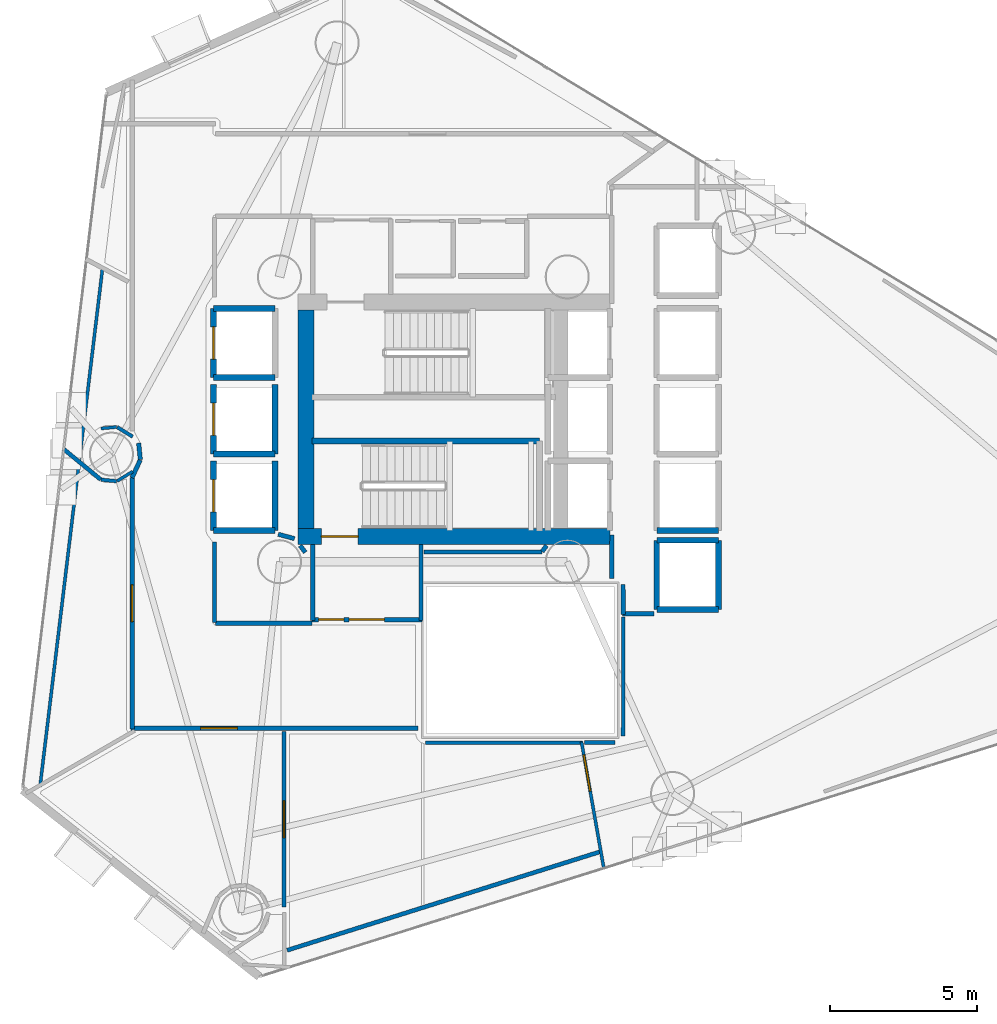
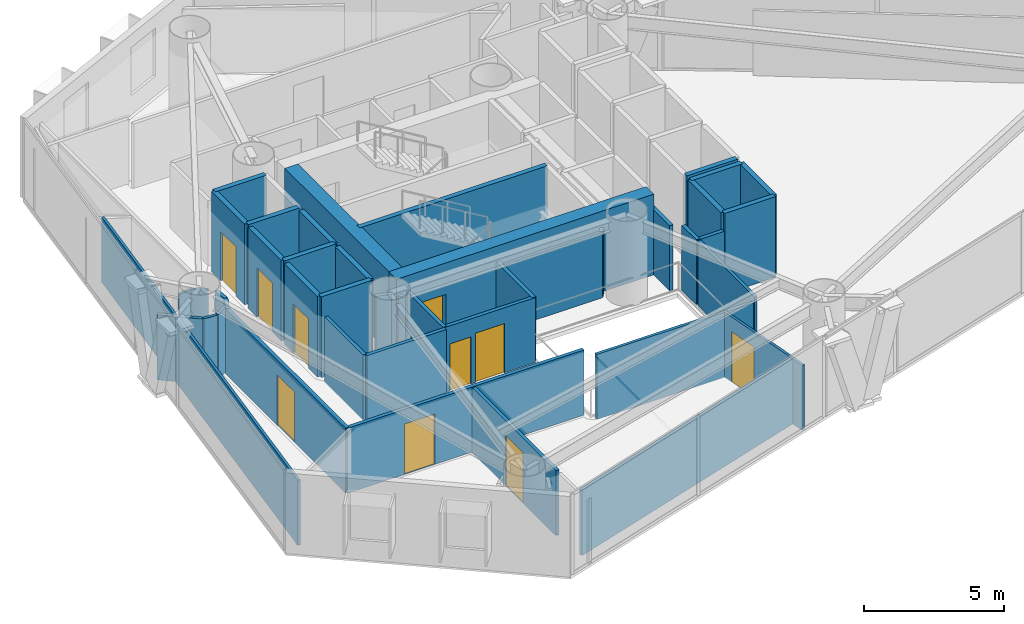
# One storey, part 14 of 18: 45 walls, 10 doors, 10 openings.
"""IFC4 building model written with IfcOpenShell, lengths in metres."""

from ifc_helpers import new_model, si_unit, direction, frame, frame_2d, origin, place, context, subcontext, project, spatial, rectangle, extrude, material, layer, layer_set, type_object, element, fill, save


model = new_model("IFC4")

# Units and contexts
model_context = context("Model", 3, precision=1e-05, world=origin(), true_north=direction((0.0, 1.0)))
body_context = subcontext(model_context, "Body", "Model", "MODEL_VIEW")
ifc_project = project(units=[si_unit("LENGTHUNIT", "METRE"), si_unit("AREAUNIT", "SQUARE_METRE"), si_unit("VOLUMEUNIT", "CUBIC_METRE"), si_unit("PLANEANGLEUNIT", "RADIAN"), si_unit("MASSUNIT", "GRAM", prefix="KILO")], contexts=[model_context])

# Site, building, storey
site_placement = place(None, origin())
site = spatial("IfcSite", under=ifc_project, at=site_placement, CompositionType="ELEMENT")
building_placement = place(site_placement, origin())
building = spatial("IfcBuilding", under=site, at=building_placement, Name="Qianvela Tower", CompositionType="ELEMENT")
storey_placement = place(building_placement, frame((0.0, 0.0, 116.300048828125)))
storey = spatial("IfcBuildingStorey", under=building, at=storey_placement, Name="L29", CompositionType="ELEMENT", Elevation=116.300048828125)

# Wall, opening, door
ifc_material_1 = material(Name="Concrete C60", Category="concrete")
ifc_layer_1 = layer(ifc_material_1, 0.550048828125)
ifc_layer_set_1 = layer_set([ifc_layer_1], Name="Concrete C60")
wall_type_1 = type_object("IfcWallType", Name="WT-CORE-550", PredefinedType="SHEAR", material=ifc_layer_set_1)
wall_1_placement = place(storey_placement, frame((29.22998046875, 24.705078125, 0.0), z_axis=(0.0, 0.0, 1.0), x_axis=(1.0, 0.0, 0.0)))
wall_1 = element("IfcWall", 1, at=wall_1_placement, inside=storey, type_object=wall_type_1, Name="L29 South Core Shear Wall", PredefinedType="SHEAR", context=body_context, shape_type="SweptSolid", body=[
    extrude(rectangle(XDim=10.6201171875, YDim=0.550048828125, at=frame_2d((5.31005859375, 0.0))), origin(), (0.0, 0.0, 1.0), 3.52001953125),
])
opening_1_placement = place(wall_1_placement, frame((0.794921875, 0.0, 0.0)))
opening_1 = element("IfcOpeningElement", 2, at=opening_1_placement, cuts=wall_1, Name="Opening D-ST1", PredefinedType="OPENING", context=body_context, shape_type="SweptSolid", body=[
    extrude(rectangle(XDim=1.25, YDim=2.14990234375, at=frame_2d((0.625, 1.074951171875))), frame((0.0, 0.284912109375, 0.0), z_axis=(0.0, -1.0, 0.0), x_axis=(1.0, 0.0, 0.0)), (0.0, 0.0, 1.0), 0.570068359375),
])
ifc_material_2 = material(Name="Galvanised Fire Steel Q355B", Category="steel")
door_type_1 = type_object("IfcDoorType", Name="DT-STAIR-FD90", OperationType="NOTDEFINED", PredefinedType="DOOR", material=ifc_material_2)
door_1_placement = place(opening_1_placement, origin())
door_1 = element("IfcDoor", 3, at=door_1_placement, inside=storey, type_object=door_type_1, Name="L29 Stair ST-2 Exit Door", OperationType="SINGLE_SWING_LEFT", OverallHeight=2.14990234375, OverallWidth=1.25, PredefinedType="DOOR", context=body_context, shape_type="SweptSolid", body=[
    extrude(rectangle(XDim=1.25, YDim=2.14990234375, at=frame_2d((0.625, 1.074951171875))), frame((0.0, 0.02490234375, 0.0), z_axis=(0.0, -1.0, 0.0), x_axis=(1.0, 0.0, 0.0)), (0.0, 0.0, 1.0), 0.050048828125),
])
fill(opening_1, door_1)

# Wall
wall_2_placement = place(storey_placement, frame((29.5048828125, 24.97998046875, 0.0), z_axis=(0.0, 0.0, 1.0), x_axis=(0.0, 1.0, 0.0)))
element("IfcWall", 4, at=wall_2_placement, inside=storey, type_object=wall_type_1, Name="L29 West Core Shear Wall", PredefinedType="SHEAR", context=body_context, shape_type="SweptSolid", body=[
    extrude(rectangle(XDim=7.43994140625, YDim=0.550048828125, at=frame_2d((3.719970703125, 0.0))), origin(), (0.0, 0.0, 1.0), 3.52001953125),
])

# Wall, openings, doors
ifc_material_3 = material(Name="Fire-Rated Acoustic Gypsum Board")
ifc_layer_2 = layer(ifc_material_3, 0.14990234375)
ifc_layer_set_2 = layer_set([ifc_layer_2], Name="Fire-Rated Acoustic Gypsum Board")
wall_type_2 = type_object("IfcWallType", Name="WT-CORR-150", PredefinedType="PARTITIONING", material=ifc_layer_set_2)
wall_3_placement = place(storey_placement, frame((33.449951171875, 21.881103515625, 0.0), z_axis=(0.0, 0.0, 1.0), x_axis=(-1.0, 0.0, 0.0)))
wall_3 = element("IfcWall", 5, at=wall_3_placement, inside=storey, type_object=wall_type_2, Name="L29 Partition 5", PredefinedType="PARTITIONING", context=body_context, shape_type="SweptSolid", body=[
    extrude(rectangle(XDim=3.75, YDim=0.14990234375, at=frame_2d((1.875, 0.0))), origin(), (0.0, 0.0, 1.0), 2.83984375),
])
opening_2_placement = place(wall_3_placement, frame((1.27490234375, 0.0, 0.0)))
opening_2 = element("IfcOpeningElement", 6, at=opening_2_placement, cuts=wall_3, Name="Opening D-LB1", PredefinedType="OPENING", context=body_context, shape_type="SweptSolid", body=[
    extrude(rectangle(XDim=1.199951171875, YDim=2.14990234375, at=frame_2d((0.60009765625, 1.074951171875))), frame((0.0, 0.0849609375, 0.0), z_axis=(0.0, -1.0, 0.0), x_axis=(1.0, 0.0, 0.0)), (0.0, 0.0, 1.0), 0.169921875),
])
opening_3_placement = place(wall_3_placement, frame((2.659912109375, 0.0, 0.0)))
opening_3 = element("IfcOpeningElement", 7, at=opening_3_placement, cuts=wall_3, Name="Opening D-LB2", PredefinedType="OPENING", context=body_context, shape_type="SweptSolid", body=[
    extrude(rectangle(XDim=0.860107421875, YDim=2.050048828125, at=frame_2d((0.43017578125, 1.02490234375))), frame((0.0, 0.0849609375, 0.0), z_axis=(0.0, -1.0, 0.0), x_axis=(1.0, 0.0, 0.0)), (0.0, 0.0, 1.0), 0.169921875),
])
ifc_material_4 = material(Name="Glazed Fire-Rated Steel Frame", Category="steel")
door_type_2 = type_object("IfcDoorType", Name="DT-LOBBY-FD90", OperationType="NOTDEFINED", PredefinedType="DOOR", material=ifc_material_4)
door_2_placement = place(opening_2_placement, origin())
door_2 = element("IfcDoor", 8, at=door_2_placement, inside=storey, type_object=door_type_2, Name="L29 Door L29 Firefighting Lobby South to L29 Floor Corridor", OperationType="SINGLE_SWING_RIGHT", OverallHeight=2.14990234375, OverallWidth=1.199951171875, PredefinedType="DOOR", context=body_context, shape_type="SweptSolid", body=[
    extrude(rectangle(XDim=1.199951171875, YDim=2.14990234375, at=frame_2d((0.60009765625, 1.074951171875))), frame((0.0, 0.02490234375, 0.0), z_axis=(0.0, -1.0, 0.0), x_axis=(1.0, 0.0, 0.0)), (0.0, 0.0, 1.0), 0.050048828125),
])
fill(opening_2, door_2)
ifc_material_5 = material(Name="Insulated Steel Fire Door Q355B", Category="steel")
door_type_3 = type_object("IfcDoorType", Name="DT-LOBBY-FD90-860", OperationType="NOTDEFINED", PredefinedType="DOOR", material=ifc_material_5)
door_3_placement = place(opening_3_placement, origin())
door_3 = element("IfcDoor", 9, at=door_3_placement, inside=storey, type_object=door_type_3, Name="L29 Door L29 Firefighting Lobby South to L29 Floor Corridor", OperationType="SINGLE_SWING_RIGHT", OverallHeight=2.050048828125, OverallWidth=0.860107421875, PredefinedType="DOOR", context=body_context, shape_type="SweptSolid", body=[
    extrude(rectangle(XDim=0.860107421875, YDim=2.050048828125, at=frame_2d((0.43017578125, 1.02490234375))), frame((0.0, 0.02490234375, 0.0), z_axis=(0.0, -1.0, 0.0), x_axis=(1.0, 0.0, 0.0)), (0.0, 0.0, 1.0), 0.050048828125),
])
fill(opening_3, door_3)

# Walls
for number, where, z_axis, x_axis, name in (
    (10, (29.73095703125, 21.85009765625, 0.0), (0.0, 0.0, 1.0), (0.0, 1.0, 0.0), "L29 Partition 6"),
    (11, (33.4189453125, 24.44189453125, 0.0), (0.0, 0.0, 1.0), (0.0, -1.0, 0.0), "L29 Partition 8"),
):
    element("IfcWall", number, at=place(storey_placement, frame(where, z_axis=z_axis, x_axis=x_axis)), inside=storey, type_object=wall_type_2, Name=name, PredefinedType="PARTITIONING", context=body_context, shape_type="SweptSolid", body=[
        extrude(rectangle(XDim=2.591796875, YDim=0.14990234375, at=frame_2d((1.2958984375, 0.0))), origin(), (0.0, 0.0, 1.0), 2.83984375),
    ])
wall_4_placement = place(storey_placement, frame((41.360107421875, 22.0810546875, 0.0), z_axis=(0.0, 0.0, 1.0), x_axis=(-1.0, 0.0, 0.0)))
element("IfcWall", 12, at=wall_4_placement, inside=storey, type_object=wall_type_2, Name="L29 Partition 15", PredefinedType="PARTITIONING", context=body_context, shape_type="SweptSolid", body=[
    extrude(rectangle(XDim=1.080078125, YDim=0.14990234375, at=frame_2d((0.5400390625, 0.0))), origin(), (0.0, 0.0, 1.0), 2.83984375),
])
wall_5_placement = place(storey_placement, frame((40.31103515625, 22.05029296875, 0.0), z_axis=(0.0, 0.0, 1.0), x_axis=(-0.011836292006, 0.999929948642, 0.0)))
element("IfcWall", 13, at=wall_5_placement, inside=storey, type_object=wall_type_2, Name="L29 Partition 16", PredefinedType="PARTITIONING", context=body_context, shape_type="SweptSolid", body=[
    extrude(rectangle(XDim=1.03125, YDim=0.14990234375, at=frame_2d((0.515625, 0.0))), origin(), (0.0, 0.0, 1.0), 2.83984375),
])
wall_6_placement = place(storey_placement, frame((39.910888671875, 23.27978515625, 0.0), z_axis=(0.0, 0.0, 1.0), x_axis=(0.009397771291, 0.999955839972, 0.0)))
element("IfcWall", 14, at=wall_6_placement, inside=storey, type_object=wall_type_2, Name="L29 Partition 17", PredefinedType="PARTITIONING", context=body_context, shape_type="SweptSolid", body=[
    extrude(rectangle(XDim=1.480712890625, YDim=0.14990234375, at=frame_2d((0.740234375, 0.0))), origin(), (0.0, 0.0, 1.0), 2.83984375),
])
wall_7_placement = place(storey_placement, frame((29.47998046875, 24.1689453125, 0.0), z_axis=(0.0, 0.0, 1.0), x_axis=(-0.608043045279, 0.79390405912, 0.0)))
element("IfcWall", 15, at=wall_7_placement, inside=storey, type_object=wall_type_2, Name="L29 Partition 30", PredefinedType="PARTITIONING", context=body_context, shape_type="SweptSolid", body=[
    extrude(rectangle(XDim=0.290283203125, YDim=0.14990234375, at=frame_2d((0.14501953125, 0.0))), origin(), (0.0, 0.0, 1.0), 2.83984375),
])
wall_8_placement = place(storey_placement, frame((29.113525390625, 24.63671875, 0.0), z_axis=(0.0, 0.0, 1.0), x_axis=(-0.966199685486, 0.257794817183, 0.0)))
element("IfcWall", 16, at=wall_8_placement, inside=storey, type_object=wall_type_2, Name="L29 Partition 31", PredefinedType="PARTITIONING", context=body_context, shape_type="SweptSolid", body=[
    extrude(rectangle(XDim=0.574951171875, YDim=0.14990234375, at=frame_2d((0.28759765625, 0.0))), origin(), (0.0, 0.0, 1.0), 2.83984375),
])
wall_9_placement = place(storey_placement, frame((37.696533203125, 24.3994140625, 0.0), z_axis=(0.0, 0.0, 1.0), x_axis=(-0.60763139403, -0.794219169367, 0.0)))
element("IfcWall", 17, at=wall_9_placement, inside=storey, type_object=wall_type_2, Name="L29 Partition 38", PredefinedType="PARTITIONING", context=body_context, shape_type="SweptSolid", body=[
    extrude(rectangle(XDim=0.25, YDim=0.14990234375, at=frame_2d((0.125, 0.0))), origin(), (0.0, 0.0, 1.0), 2.83984375),
])
wall_10_placement = place(storey_placement, frame((37.544677734375, 24.180908203125, 0.0), z_axis=(0.0, 0.0, 1.0), x_axis=(-1.0, 0.0, 0.0)))
element("IfcWall", 18, at=wall_10_placement, inside=storey, type_object=wall_type_2, Name="L29 Partition 39", PredefinedType="PARTITIONING", context=body_context, shape_type="SweptSolid", body=[
    extrude(rectangle(XDim=4.0146484375, YDim=0.14990234375, at=frame_2d((2.00732421875, 0.0))), origin(), (0.0, 0.0, 1.0), 2.83984375),
])
wall_11_placement = place(storey_placement, frame((26.388916015625, 24.530517578125, 0.0), z_axis=(0.0, 0.0, 1.0), x_axis=(0.0, -1.0, 0.0)))
element("IfcWall", 19, at=wall_11_placement, inside=storey, type_object=wall_type_2, Name="L29 Partition 49", PredefinedType="PARTITIONING", context=body_context, shape_type="SweptSolid", body=[
    extrude(rectangle(XDim=2.75048828125, YDim=0.14990234375, at=frame_2d((1.375244140625, 0.0))), origin(), (0.0, 0.0, 1.0), 2.83984375),
])
wall_12_placement = place(storey_placement, frame((26.419921875, 21.7490234375, 0.0), z_axis=(0.0, 0.0, 1.0), x_axis=(1.0, 0.0, 0.0)))
element("IfcWall", 20, at=wall_12_placement, inside=storey, type_object=wall_type_2, Name="L29 Partition 50 seg 1", PredefinedType="PARTITIONING", context=body_context, shape_type="SweptSolid", body=[
    extrude(rectangle(XDim=3.280029296875, YDim=0.14990234375, at=frame_2d((1.64013671875, 0.0))), origin(), (0.0, 0.0, 1.0), 2.83984375),
])

# Wall, opening, door
wall_13_placement = place(storey_placement, frame((33.320068359375, 18.180908203125, 0.0), z_axis=(0.0, 0.0, 1.0), x_axis=(-1.0, 0.0, 0.0)))
wall_13 = element("IfcWall", 21, at=wall_13_placement, inside=storey, type_object=wall_type_2, Name="L29 Partition 51", PredefinedType="PARTITIONING", context=body_context, shape_type="SweptSolid", body=[
    extrude(rectangle(XDim=9.77001953125, YDim=0.14990234375, at=frame_2d((4.885009765625, 0.0))), origin(), (0.0, 0.0, 1.0), 2.83984375),
])
opening_4_placement = place(wall_13_placement, frame((6.156494140625, 0.0, 0.0)))
opening_4 = element("IfcOpeningElement", 22, at=opening_4_placement, cuts=wall_13, Name="Opening D-LG1", PredefinedType="OPENING", context=body_context, shape_type="SweptSolid", body=[
    extrude(rectangle(XDim=1.25, YDim=2.199951171875, at=frame_2d((0.625, 1.10009765625))), frame((0.0, 0.0849609375, 0.0), z_axis=(0.0, -1.0, 0.0), x_axis=(1.0, 0.0, 0.0)), (0.0, 0.0, 1.0), 0.169921875),
])
ifc_material_6 = material(Name="Anodised Aluminium Acoustic Glass Door", Category="aluminium")
door_type_4 = type_object("IfcDoorType", Name="DT-LOUNGE-1250", OperationType="NOTDEFINED", PredefinedType="DOOR", material=ifc_material_6)
door_4_placement = place(opening_4_placement, origin())
door_4 = element("IfcDoor", 23, at=door_4_placement, inside=storey, type_object=door_type_4, Name="L29 Door Media Practice Cinema L29-02 to L29 Floor Corridor", OperationType="SINGLE_SWING_RIGHT", OverallHeight=2.199951171875, OverallWidth=1.25, PredefinedType="DOOR", context=body_context, shape_type="SweptSolid", body=[
    extrude(rectangle(XDim=1.25, YDim=2.199951171875, at=frame_2d((0.625, 1.10009765625))), frame((0.0, 0.02490234375, 0.0), z_axis=(0.0, -1.0, 0.0), x_axis=(1.0, 0.0, 0.0)), (0.0, 0.0, 1.0), 0.050048828125),
])
fill(opening_4, door_4)

wall_14_placement = place(storey_placement, frame((23.5810546875, 18.14990234375, 0.0), z_axis=(0.0, 0.0, 1.0), x_axis=(0.0, 1.0, 0.0)))
wall_14 = element("IfcWall", 24, at=wall_14_placement, inside=storey, type_object=wall_type_2, Name="L29 Partition 52", PredefinedType="PARTITIONING", context=body_context, shape_type="SweptSolid", body=[
    extrude(rectangle(XDim=8.575439453125, YDim=0.14990234375, at=frame_2d((4.28759765625, 0.0))), origin(), (0.0, 0.0, 1.0), 2.83984375),
])
opening_5_placement = place(wall_14_placement, frame((3.66259765625, 0.0, 0.0)))
opening_5 = element("IfcOpeningElement", 25, at=opening_5_placement, cuts=wall_14, Name="Opening D-LG1", PredefinedType="OPENING", context=body_context, shape_type="SweptSolid", body=[
    extrude(rectangle(XDim=1.25, YDim=2.199951171875, at=frame_2d((0.625, 1.10009765625))), frame((0.0, 0.0849609375, 0.0), z_axis=(0.0, -1.0, 0.0), x_axis=(1.0, 0.0, 0.0)), (0.0, 0.0, 1.0), 0.169921875),
])
door_5_placement = place(opening_5_placement, origin())
door_5 = element("IfcDoor", 26, at=door_5_placement, inside=storey, type_object=door_type_4, Name="L29 Door Student Reading Library L29-01 to L29 Floor Corridor", OperationType="SINGLE_SWING_LEFT", OverallHeight=2.199951171875, OverallWidth=1.25, PredefinedType="DOOR", context=body_context, shape_type="SweptSolid", body=[
    extrude(rectangle(XDim=1.25, YDim=2.199951171875, at=frame_2d((0.625, 1.10009765625))), frame((0.0, 0.02490234375, 0.0), z_axis=(0.0, -1.0, 0.0), x_axis=(1.0, 0.0, 0.0)), (0.0, 0.0, 1.0), 0.050048828125),
])
fill(opening_5, door_5)

# Walls
wall_15_placement = place(storey_placement, frame((23.578125, 26.71240234375, 0.0), z_axis=(0.0, 0.0, 1.0), x_axis=(0.421251946418, 0.906943657367, 0.0)))
element("IfcWall", 27, at=wall_15_placement, inside=storey, type_object=wall_type_2, Name="L29 Partition 53", PredefinedType="PARTITIONING", context=body_context, shape_type="SweptSolid", body=[
    extrude(rectangle(XDim=0.6630859375, YDim=0.14990234375, at=frame_2d((0.33154296875, 0.0))), origin(), (0.0, 0.0, 1.0), 2.83984375),
])
wall_16_placement = place(storey_placement, frame((23.860107421875, 27.329833984375, 0.0), z_axis=(0.0, 0.0, 1.0), x_axis=(-0.098000919071, 0.995186324193, 0.0)))
element("IfcWall", 28, at=wall_16_placement, inside=storey, type_object=wall_type_2, Name="L29 Partition 54", PredefinedType="PARTITIONING", context=body_context, shape_type="SweptSolid", body=[
    extrude(rectangle(XDim=0.56298828125, YDim=0.14990234375, at=frame_2d((0.281494140625, 0.0))), origin(), (0.0, 0.0, 1.0), 2.83984375),
])
ifc_material_7 = material(Name="Lightweight Gypsum Room Partition")
ifc_layer_3 = layer(ifc_material_7, 0.10498046875)
ifc_layer_set_3 = layer_set([ifc_layer_3], Name="Lightweight Gypsum Room Partition")
wall_type_3 = type_object("IfcWallType", Name="WT-PART-105", PredefinedType="PARTITIONING", material=ifc_layer_set_3)
wall_17_placement = place(storey_placement, frame((23.052490234375, 28.439453125, 0.0), z_axis=(0.0, 0.0, 1.0), x_axis=(-0.995191506225, -0.09794828195, 0.0)))
element("IfcWall", 29, at=wall_17_placement, inside=storey, type_object=wall_type_3, Name="L29 Partition 56", PredefinedType="PARTITIONING", context=body_context, shape_type="SweptSolid", body=[
    extrude(rectangle(XDim=0.5283203125, YDim=0.10498046875, at=frame_2d((0.26416015625, 0.0))), origin(), (0.0, 0.0, 1.0), 2.83984375),
])
wall_18_placement = place(storey_placement, frame((23.07177734375, 26.59716796875, 0.0), z_axis=(0.0, 0.0, 1.0), x_axis=(0.851536753009, 0.524294915363, 0.0)))
element("IfcWall", 30, at=wall_18_placement, inside=storey, type_object=wall_type_3, Name="L29 Partition 62", PredefinedType="PARTITIONING", context=body_context, shape_type="SweptSolid", body=[
    extrude(rectangle(XDim=0.62060546875, YDim=0.10498046875, at=frame_2d((0.310302734375, 0.0))), origin(), (0.0, 0.0, 1.0), 2.83984375),
])
wall_19_placement = place(storey_placement, frame((20.443115234375, 16.17919921875, 0.0), z_axis=(0.0, 0.0, 1.0), x_axis=(0.11977901292, 0.992800578195, 0.0)))
element("IfcWall", 31, at=wall_19_placement, inside=storey, type_object=wall_type_3, Name="L29 Partition 65", PredefinedType="PARTITIONING", context=body_context, shape_type="SweptSolid", body=[
    extrude(rectangle(XDim=17.846923828125, YDim=0.10498046875, at=frame_2d((8.92333984375, 0.0))), origin(), (0.0, 0.0, 1.0), 2.83984375),
])

# Wall, opening, door
wall_20_placement = place(storey_placement, frame((38.88671875, 17.714599609375, 0.0), z_axis=(0.0, 0.0, 1.0), x_axis=(0.173658486217, -0.984805935281, 0.0)))
wall_20 = element("IfcWall", 32, at=wall_20_placement, inside=storey, type_object=wall_type_3, Name="L29 Partition 86", PredefinedType="PARTITIONING", context=body_context, shape_type="SweptSolid", body=[
    extrude(rectangle(XDim=4.391845703125, YDim=0.10498046875, at=frame_2d((2.19580078125, 0.0))), origin(), (0.0, 0.0, 1.0), 2.83984375),
])
opening_6_placement = place(wall_20_placement, frame((0.450927734375, 0.0, 0.0)))
opening_6 = element("IfcOpeningElement", 33, at=opening_6_placement, cuts=wall_20, Name="Opening D-LG1", PredefinedType="OPENING", context=body_context, shape_type="SweptSolid", body=[
    extrude(rectangle(XDim=1.25, YDim=2.199951171875, at=frame_2d((0.625, 1.10009765625))), frame((0.0, 0.0625, 0.0), z_axis=(0.0, -1.0, 0.0), x_axis=(1.0, 0.0, 0.0)), (0.0, 0.0, 1.0), 0.125),
])
door_6_placement = place(opening_6_placement, origin())
door_6 = element("IfcDoor", 34, at=door_6_placement, inside=storey, type_object=door_type_4, Name="L29 Door Social Sitting Lounge L29-04 to Panoramic Study Lounge L29-03", OperationType="SINGLE_SWING_LEFT", OverallHeight=2.199951171875, OverallWidth=1.25, PredefinedType="DOOR", context=body_context, shape_type="SweptSolid", body=[
    extrude(rectangle(XDim=1.25, YDim=2.199951171875, at=frame_2d((0.625, 1.10009765625))), frame((0.0, 0.02490234375, 0.0), z_axis=(0.0, -1.0, 0.0), x_axis=(1.0, 0.0, 0.0)), (0.0, 0.0, 1.0), 0.050048828125),
])
fill(opening_6, door_6)

# Walls
ifc_material_8 = material(Name="Insulated Gypsum Stud Partition")
ifc_layer_4 = layer(ifc_material_8, 0.1201171875)
ifc_layer_set_4 = layer_set([ifc_layer_4], Name="Insulated Gypsum Stud Partition")
wall_type_4 = type_object("IfcWallType", Name="WT-PART-120", PredefinedType="PARTITIONING", material=ifc_layer_set_4)
wall_21_placement = place(storey_placement, frame((23.600341796875, 28.109619140625, 0.0), z_axis=(0.0, 0.0, 1.0), x_axis=(-0.851712341449, 0.524009625316, 0.0)))
element("IfcWall", 35, at=wall_21_placement, inside=storey, type_object=wall_type_4, Name="L29 Partition 55", PredefinedType="PARTITIONING", context=body_context, shape_type="SweptSolid", body=[
    extrude(rectangle(XDim=0.62060546875, YDim=0.1201171875, at=frame_2d((0.310302734375, 0.0))), origin(), (0.0, 0.0, 1.0), 2.83984375),
])
wall_22_placement = place(storey_placement, frame((22.526611328125, 26.644287109375, 0.0), z_axis=(0.0, 0.0, 1.0), x_axis=(0.995191506225, -0.09794828195, 0.0)))
element("IfcWall", 36, at=wall_22_placement, inside=storey, type_object=wall_type_4, Name="L29 Partition 61", PredefinedType="PARTITIONING", context=body_context, shape_type="SweptSolid", body=[
    extrude(rectangle(XDim=0.5283203125, YDim=0.1201171875, at=frame_2d((0.26416015625, 0.0))), origin(), (0.0, 0.0, 1.0), 2.83984375),
])
wall_23_placement = place(storey_placement, frame((33.572509765625, 17.690185546875, 0.0), z_axis=(0.0, 0.0, 1.0), x_axis=(0.999999973918, -0.000228393928, 0.0)))
element("IfcWall", 37, at=wall_23_placement, inside=storey, type_object=wall_type_4, Name="L29 Partition 85", PredefinedType="PARTITIONING", context=body_context, shape_type="SweptSolid", body=[
    extrude(rectangle(XDim=5.3447265625, YDim=0.1201171875, at=frame_2d((2.67236328125, 0.0))), origin(), (0.0, 0.0, 1.0), 2.83984375),
])
wall_24_placement = place(storey_placement, frame((40.298828125, 17.918701171875, 0.0), z_axis=(0.0, 0.0, 1.0), x_axis=(0.0030131236, 0.999995460533, 0.0)))
element("IfcWall", 38, at=wall_24_placement, inside=storey, type_object=wall_type_4, Name="L29 Partition 103 seg 1", PredefinedType="PARTITIONING", context=body_context, shape_type="SweptSolid", body=[
    extrude(rectangle(XDim=4.05126953125, YDim=0.1201171875, at=frame_2d((2.025634765625, 0.0))), origin(), (0.0, 0.0, 1.0), 2.83984375),
])
ifc_material_9 = material(Name="Acoustic Double Gypsum Stud Partition")
ifc_layer_5 = layer(ifc_material_9, 0.139892578125)
ifc_layer_set_5 = layer_set([ifc_layer_5], Name="Acoustic Double Gypsum Stud Partition")
wall_type_5 = type_object("IfcWallType", Name="WT-ROOM-140", PredefinedType="PARTITIONING", material=ifc_layer_set_5)
wall_25_placement = place(storey_placement, frame((21.235595703125, 27.697265625, 0.0), z_axis=(0.0, 0.0, 1.0), x_axis=(0.773006334928, -0.634398302458, 0.0)))
element("IfcWall", 39, at=wall_25_placement, inside=storey, type_object=wall_type_5, Name="L29 Partition 60", PredefinedType="PARTITIONING", context=body_context, shape_type="SweptSolid", body=[
    extrude(rectangle(XDim=1.648681640625, YDim=0.139892578125, at=frame_2d((0.82421875, 0.0))), origin(), (0.0, 0.0, 1.0), 2.83984375),
])

# Wall, opening, door
wall_26_placement = place(storey_placement, frame((28.7548828125, 18.070068359375, 0.0), z_axis=(0.0, 0.0, 1.0), x_axis=(0.0, -1.0, 0.0)))
wall_26 = element("IfcWall", 40, at=wall_26_placement, inside=storey, type_object=wall_type_5, Name="L29 Partition 84", PredefinedType="PARTITIONING", context=body_context, shape_type="SweptSolid", body=[
    extrude(rectangle(XDim=5.978515625, YDim=0.139892578125, at=frame_2d((2.9892578125, 0.0))), origin(), (0.0, 0.0, 1.0), 2.83984375),
])
opening_7_placement = place(wall_26_placement, frame((2.3642578125, 0.0, 0.0)))
opening_7 = element("IfcOpeningElement", 41, at=opening_7_placement, cuts=wall_26, Name="Opening D-LG1", PredefinedType="OPENING", context=body_context, shape_type="SweptSolid", body=[
    extrude(rectangle(XDim=1.25, YDim=2.199951171875, at=frame_2d((0.625, 1.10009765625))), frame((0.0, 0.079833984375, 0.0), z_axis=(0.0, -1.0, 0.0), x_axis=(1.0, 0.0, 0.0)), (0.0, 0.0, 1.0), 0.159912109375),
])
door_7_placement = place(opening_7_placement, origin())
door_7 = element("IfcDoor", 42, at=door_7_placement, inside=storey, type_object=door_type_4, Name="L29 Door Panoramic Study Lounge L29-03 to Media Practice Cinema L29-02", OperationType="SINGLE_SWING_LEFT", OverallHeight=2.199951171875, OverallWidth=1.25, PredefinedType="DOOR", context=body_context, shape_type="SweptSolid", body=[
    extrude(rectangle(XDim=1.25, YDim=2.199951171875, at=frame_2d((0.625, 1.10009765625))), frame((0.0, 0.02490234375, 0.0), z_axis=(0.0, -1.0, 0.0), x_axis=(1.0, 0.0, 0.0)), (0.0, 0.0, 1.0), 0.050048828125),
])
fill(opening_7, door_7)

# Walls
wall_27_placement = place(storey_placement, frame((39.571044921875, 13.989501953125, 0.0), z_axis=(0.0, 0.0, 1.0), x_axis=(-0.953855016975, -0.300267558341, 0.0)))
element("IfcWall", 43, at=wall_27_placement, inside=storey, type_object=wall_type_5, Name="L29 Partition 87", PredefinedType="PARTITIONING", context=body_context, shape_type="SweptSolid", body=[
    extrude(rectangle(XDim=11.228515625, YDim=0.139892578125, at=frame_2d((5.6142578125, 0.0))), origin(), (0.0, 0.0, 1.0), 2.83984375),
])
wall_28_placement = place(storey_placement, frame((38.980224609375, 17.689208984375, 0.0), z_axis=(0.0, 0.0, 1.0), x_axis=(0.999999565315, 0.000932400527, 0.0)))
element("IfcWall", 44, at=wall_28_placement, inside=storey, type_object=wall_type_5, Name="L29 Partition 102 seg 1", PredefinedType="PARTITIONING", context=body_context, shape_type="SweptSolid", body=[
    extrude(rectangle(XDim=1.04736328125, YDim=0.139892578125, at=frame_2d((0.523681640625, 0.0))), origin(), (0.0, 0.0, 1.0), 2.83984375),
])
ifc_material_10 = material(Name="Concrete C50", Category="concrete")
ifc_layer_6 = layer(ifc_material_10, 0.199951171875)
ifc_layer_set_6 = layer_set([ifc_layer_6], Name="Concrete C50")
wall_type_6 = type_object("IfcWallType", Name="WT-SHAFT-200", PredefinedType="SOLIDWALL", material=ifc_layer_set_6)
wall_29_placement = place(storey_placement, frame((29.699951171875, 27.9599609375, 0.0), z_axis=(0.0, 0.0, 1.0), x_axis=(1.0, 0.0, 0.0)))
element("IfcWall", 45, at=wall_29_placement, inside=storey, type_object=wall_type_6, Name="L29 Stair ST-2 North Wall", PredefinedType="SOLIDWALL", context=body_context, shape_type="SweptSolid", body=[
    extrude(rectangle(XDim=7.75, YDim=0.199951171875, at=frame_2d((3.875, 0.0))), origin(), (0.0, 0.0, 1.0), 3.52001953125),
])

# Wall, opening, door
wall_30_placement = place(storey_placement, frame((26.35009765625, 30.1201171875, 0.0), z_axis=(0.0, 0.0, 1.0), x_axis=(0.0, 1.0, 0.0)))
wall_30 = element("IfcWall", 46, at=wall_30_placement, inside=storey, type_object=wall_type_6, Name="L29 Lift PL-L1 W Shaft Wall", PredefinedType="SOLIDWALL", context=body_context, shape_type="SweptSolid", body=[
    extrude(rectangle(XDim=2.35986328125, YDim=0.199951171875, at=frame_2d((1.179931640625, 0.0))), origin(), (0.0, 0.0, 1.0), 3.52001953125),
])
opening_8_placement = place(wall_30_placement, frame((0.6298828125, 0.0, 0.0)))
opening_8 = element("IfcOpeningElement", 47, at=opening_8_placement, cuts=wall_30, Name="Opening LD-01", PredefinedType="OPENING", context=body_context, shape_type="SweptSolid", body=[
    extrude(rectangle(XDim=1.10009765625, YDim=2.14990234375, at=frame_2d((0.550048828125, 1.074951171875))), frame((0.0, 0.10986328125, 0.0), z_axis=(0.0, -1.0, 0.0), x_axis=(1.0, 0.0, 0.0)), (0.0, 0.0, 1.0), 0.219970703125),
])
ifc_material_11 = material(Name="Brushed Stainless Steel Lift Landing Door", Category="steel")
door_type_5 = type_object("IfcDoorType", Name="DT-LIFT-SLIDE-1100", OperationType="SLIDING_TO_LEFT", PredefinedType="DOOR", material=ifc_material_11)
door_8_placement = place(opening_8_placement, origin())
door_8 = element("IfcDoor", 48, at=door_8_placement, inside=storey, type_object=door_type_5, Name="L29 Lift PL-L1 Sliding Landing Door", OperationType="SLIDING_TO_LEFT", OverallHeight=2.14990234375, OverallWidth=1.10009765625, PredefinedType="DOOR", context=body_context, shape_type="SweptSolid", body=[
    extrude(rectangle(XDim=1.10009765625, YDim=2.14990234375, at=frame_2d((0.550048828125, 1.074951171875))), frame((0.0, 0.02490234375, 0.0), z_axis=(0.0, -1.0, 0.0), x_axis=(1.0, 0.0, 0.0)), (0.0, 0.0, 1.0), 0.050048828125),
])
fill(opening_8, door_8)

# Walls
for number, where, z_axis, x_axis, name in (
    (49, (26.35009765625, 32.47998046875, 0.0), (0.0, 0.0, 1.0), (1.0, 0.0, 0.0), "L29 Lift PL-L1 N Shaft Wall"),
    (50, (26.35009765625, 30.1201171875, 0.0), (0.0, 0.0, 1.0), (1.0, 0.0, 0.0), "L29 Lift PL-L1 S Shaft Wall"),
):
    element("IfcWall", number, at=place(storey_placement, frame(where, z_axis=z_axis, x_axis=x_axis)), inside=storey, type_object=wall_type_6, Name=name, PredefinedType="SOLIDWALL", context=body_context, shape_type="SweptSolid", body=[
        extrude(rectangle(XDim=2.099853515625, YDim=0.199951171875, at=frame_2d((1.0498046875, 0.0))), origin(), (0.0, 0.0, 1.0), 3.52001953125),
    ])
wall_31_placement = place(storey_placement, frame((28.449951171875, 27.52001953125, 0.0), z_axis=(0.0, 0.0, 1.0), x_axis=(0.0, 1.0, 0.0)))
element("IfcWall", 51, at=wall_31_placement, inside=storey, type_object=wall_type_6, Name="L29 Lift PL-L2 E Shaft Wall", PredefinedType="SOLIDWALL", context=body_context, shape_type="SweptSolid", body=[
    extrude(rectangle(XDim=2.35986328125, YDim=0.199951171875, at=frame_2d((1.179931640625, 0.0))), origin(), (0.0, 0.0, 1.0), 3.52001953125),
])

# Wall, opening, door
wall_32_placement = place(storey_placement, frame((26.35009765625, 27.52001953125, 0.0), z_axis=(0.0, 0.0, 1.0), x_axis=(0.0, 1.0, 0.0)))
wall_32 = element("IfcWall", 52, at=wall_32_placement, inside=storey, type_object=wall_type_6, Name="L29 Lift PL-L2 W Shaft Wall", PredefinedType="SOLIDWALL", context=body_context, shape_type="SweptSolid", body=[
    extrude(rectangle(XDim=2.35986328125, YDim=0.199951171875, at=frame_2d((1.179931640625, 0.0))), origin(), (0.0, 0.0, 1.0), 3.52001953125),
])
opening_9_placement = place(wall_32_placement, frame((0.6298828125, 0.0, 0.0)))
opening_9 = element("IfcOpeningElement", 53, at=opening_9_placement, cuts=wall_32, Name="Opening LD-01", PredefinedType="OPENING", context=body_context, shape_type="SweptSolid", body=[
    extrude(rectangle(XDim=1.10009765625, YDim=2.14990234375, at=frame_2d((0.550048828125, 1.074951171875))), frame((0.0, 0.10986328125, 0.0), z_axis=(0.0, -1.0, 0.0), x_axis=(1.0, 0.0, 0.0)), (0.0, 0.0, 1.0), 0.219970703125),
])
door_9_placement = place(opening_9_placement, origin())
door_9 = element("IfcDoor", 54, at=door_9_placement, inside=storey, type_object=door_type_5, Name="L29 Lift PL-L2 Sliding Landing Door", OperationType="SLIDING_TO_LEFT", OverallHeight=2.14990234375, OverallWidth=1.10009765625, PredefinedType="DOOR", context=body_context, shape_type="SweptSolid", body=[
    extrude(rectangle(XDim=1.10009765625, YDim=2.14990234375, at=frame_2d((0.550048828125, 1.074951171875))), frame((0.0, 0.02490234375, 0.0), z_axis=(0.0, -1.0, 0.0), x_axis=(1.0, 0.0, 0.0)), (0.0, 0.0, 1.0), 0.050048828125),
])
fill(opening_9, door_9)

# Walls
wall_33_placement = place(storey_placement, frame((26.35009765625, 27.52001953125, 0.0), z_axis=(0.0, 0.0, 1.0), x_axis=(1.0, 0.0, 0.0)))
element("IfcWall", 55, at=wall_33_placement, inside=storey, type_object=wall_type_6, Name="L29 Lift PL-L2 S Shaft Wall", PredefinedType="SOLIDWALL", context=body_context, shape_type="SweptSolid", body=[
    extrude(rectangle(XDim=2.099853515625, YDim=0.199951171875, at=frame_2d((1.0498046875, 0.0))), origin(), (0.0, 0.0, 1.0), 3.52001953125),
])
wall_34_placement = place(storey_placement, frame((28.449951171875, 24.919921875, 0.0), z_axis=(0.0, 0.0, 1.0), x_axis=(0.0, 1.0, 0.0)))
element("IfcWall", 56, at=wall_34_placement, inside=storey, type_object=wall_type_6, Name="L29 Lift PL-L3 E Shaft Wall", PredefinedType="SOLIDWALL", context=body_context, shape_type="SweptSolid", body=[
    extrude(rectangle(XDim=2.360107421875, YDim=0.199951171875, at=frame_2d((1.18017578125, 0.0))), origin(), (0.0, 0.0, 1.0), 3.52001953125),
])

# Wall, opening, door
wall_35_placement = place(storey_placement, frame((26.35009765625, 24.919921875, 0.0), z_axis=(0.0, 0.0, 1.0), x_axis=(0.0, 1.0, 0.0)))
wall_35 = element("IfcWall", 57, at=wall_35_placement, inside=storey, type_object=wall_type_6, Name="L29 Lift PL-L3 W Shaft Wall", PredefinedType="SOLIDWALL", context=body_context, shape_type="SweptSolid", body=[
    extrude(rectangle(XDim=2.360107421875, YDim=0.199951171875, at=frame_2d((1.18017578125, 0.0))), origin(), (0.0, 0.0, 1.0), 3.52001953125),
])
opening_10_placement = place(wall_35_placement, frame((0.6298828125, 0.0, 0.0)))
opening_10 = element("IfcOpeningElement", 58, at=opening_10_placement, cuts=wall_35, Name="Opening LD-01", PredefinedType="OPENING", context=body_context, shape_type="SweptSolid", body=[
    extrude(rectangle(XDim=1.10009765625, YDim=2.14990234375, at=frame_2d((0.550048828125, 1.074951171875))), frame((0.0, 0.10986328125, 0.0), z_axis=(0.0, -1.0, 0.0), x_axis=(1.0, 0.0, 0.0)), (0.0, 0.0, 1.0), 0.219970703125),
])
door_10_placement = place(opening_10_placement, origin())
door_10 = element("IfcDoor", 59, at=door_10_placement, inside=storey, type_object=door_type_5, Name="L29 Lift PL-L3 Sliding Landing Door", OperationType="SLIDING_TO_LEFT", OverallHeight=2.14990234375, OverallWidth=1.10009765625, PredefinedType="DOOR", context=body_context, shape_type="SweptSolid", body=[
    extrude(rectangle(XDim=1.10009765625, YDim=2.14990234375, at=frame_2d((0.550048828125, 1.074951171875))), frame((0.0, 0.02490234375, 0.0), z_axis=(0.0, -1.0, 0.0), x_axis=(1.0, 0.0, 0.0)), (0.0, 0.0, 1.0), 0.050048828125),
])
fill(opening_10, door_10)

# Walls
wall_36_placement = place(storey_placement, frame((26.35009765625, 24.919921875, 0.0), z_axis=(0.0, 0.0, 1.0), x_axis=(1.0, 0.0, 0.0)))
element("IfcWall", 60, at=wall_36_placement, inside=storey, type_object=wall_type_6, Name="L29 Lift PL-L3 S Shaft Wall", PredefinedType="SOLIDWALL", context=body_context, shape_type="SweptSolid", body=[
    extrude(rectangle(XDim=2.099853515625, YDim=0.199951171875, at=frame_2d((1.0498046875, 0.0))), origin(), (0.0, 0.0, 1.0), 3.52001953125),
])
wall_37_placement = place(storey_placement, frame((41.449951171875, 24.919921875, 0.0), z_axis=(0.0, 0.0, 1.0), x_axis=(1.0, 0.0, 0.0)))
element("IfcWall", 61, at=wall_37_placement, inside=storey, type_object=wall_type_6, Name="L29 Lift PL-M3 S Shaft Wall", PredefinedType="SOLIDWALL", context=body_context, shape_type="SweptSolid", body=[
    extrude(rectangle(XDim=2.10009765625, YDim=0.199951171875, at=frame_2d((1.050048828125, 0.0))), origin(), (0.0, 0.0, 1.0), 3.52001953125),
])
for number, where, z_axis, x_axis, name in (
    (62, (43.550048828125, 22.219970703125, 0.0), (0.0, 0.0, 1.0), (0.0, 1.0, 0.0), "L29 Lift PL-H2 E Shaft Wall"),
    (63, (41.449951171875, 22.219970703125, 0.0), (0.0, 0.0, 1.0), (0.0, 1.0, 0.0), "L29 Lift PL-H2 W Shaft Wall"),
):
    element("IfcWall", number, at=place(storey_placement, frame(where, z_axis=z_axis, x_axis=x_axis)), inside=storey, type_object=wall_type_6, Name=name, PredefinedType="SOLIDWALL", context=body_context, shape_type="SweptSolid", body=[
        extrude(rectangle(XDim=2.360107421875, YDim=0.199951171875, at=frame_2d((1.18017578125, 0.0))), origin(), (0.0, 0.0, 1.0), 3.52001953125),
    ])
for number, where, z_axis, x_axis, name in (
    (64, (41.449951171875, 24.580078125, 0.0), (0.0, 0.0, 1.0), (1.0, 0.0, 0.0), "L29 Lift PL-H2 N Shaft Wall"),
    (65, (41.449951171875, 22.219970703125, 0.0), (0.0, 0.0, 1.0), (1.0, 0.0, 0.0), "L29 Lift PL-H2 S Shaft Wall"),
):
    element("IfcWall", number, at=place(storey_placement, frame(where, z_axis=z_axis, x_axis=x_axis)), inside=storey, type_object=wall_type_6, Name=name, PredefinedType="SOLIDWALL", context=body_context, shape_type="SweptSolid", body=[
        extrude(rectangle(XDim=2.10009765625, YDim=0.199951171875, at=frame_2d((1.050048828125, 0.0))), origin(), (0.0, 0.0, 1.0), 3.52001953125),
    ])

save(model, "model.ifc")
